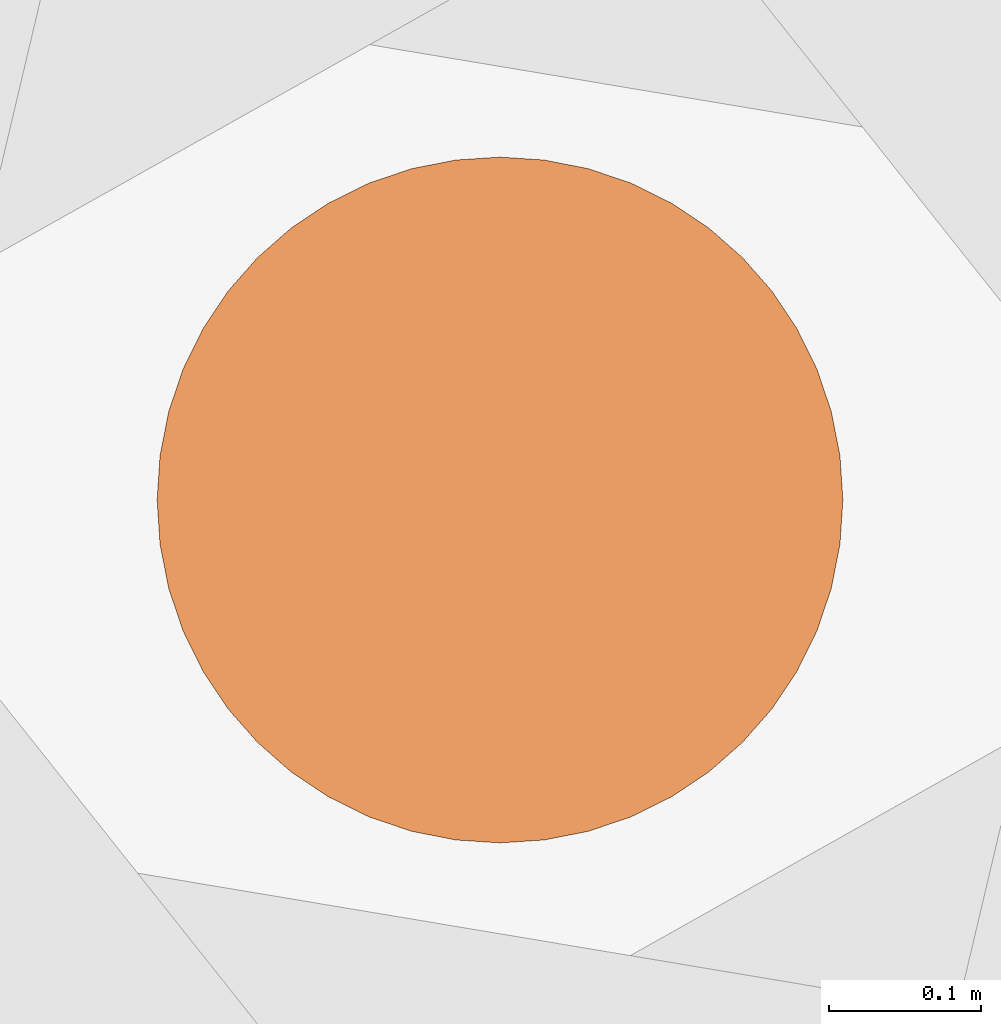
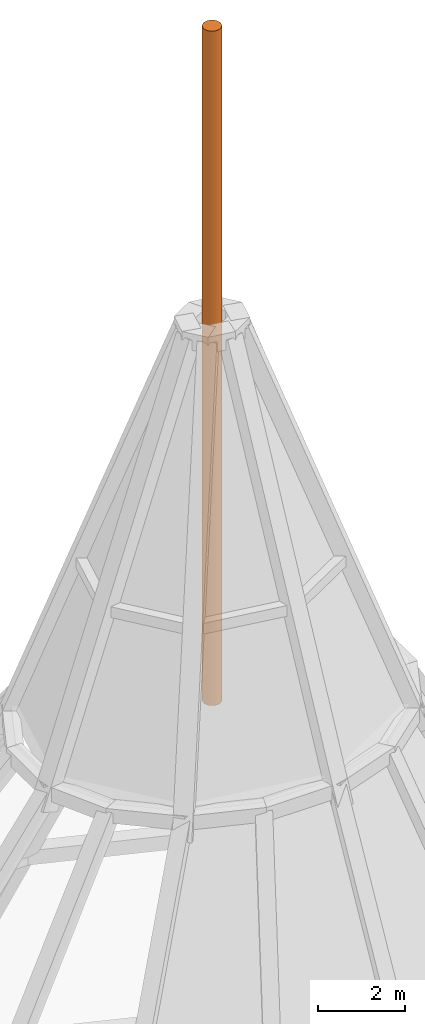
# One storey, part 7 of 7: 1 proxy.
"""IFC4 building model written with IfcOpenShell, lengths in metres."""

from ifc_helpers import new_model, si_unit, direction, frame, origin, origin_2d, place, context, subcontext, project, spatial, circle, extrude, material, material_profile, profile_set, type_object, element, save


model = new_model("IFC4")

# Units and contexts
model_context = context("Model", 3, precision=1e-05, world=origin(), true_north=direction((0.0, 1.0)))
body_context = subcontext(model_context, "Body", "Model", "MODEL_VIEW")
ifc_project = project(units=[si_unit("LENGTHUNIT", "METRE"), si_unit("AREAUNIT", "SQUARE_METRE"), si_unit("VOLUMEUNIT", "CUBIC_METRE"), si_unit("PLANEANGLEUNIT", "RADIAN"), si_unit("MASSUNIT", "GRAM", prefix="KILO")], contexts=[model_context])

# Site, building, storey
site_placement = place(None, origin())
site = spatial("IfcSite", under=ifc_project, at=site_placement, CompositionType="ELEMENT")
building_placement = place(site_placement, origin())
building = spatial("IfcBuilding", under=site, at=building_placement, Name="Marenthal Gate Tower", CompositionType="ELEMENT")
storey_placement = place(building_placement, frame((0.0, 0.0, 423.550048828125)))
storey = spatial("IfcBuildingStorey", under=building, at=storey_placement, Name="RF", CompositionType="ELEMENT", Elevation=423.550048828125)

# Proxy
ifc_material = material(Name="Steel S355", Category="steel")
ifc_material_profile = material_profile(ifc_material, circle(Radius=0.22509765625, at=origin_2d()), Name="Spire mast 450")
ifc_profile_set = profile_set([ifc_material_profile], Name="Steel S355")
building_element_proxy_type = type_object("IfcBuildingElementProxyType", Name="SPIRE mast 450", PredefinedType="USERDEFINED", material=ifc_profile_set)
proxy_placement = place(storey_placement, frame((2.800048828125, -0.699951171875, 29.119873046875), z_axis=(0.0, 0.0, 1.0), x_axis=(1.0, 0.0, 0.0)))
element("IfcBuildingElementProxy", 1, at=proxy_placement, inside=storey, type_object=building_element_proxy_type, Name="SPIRE", ObjectType="SPIRE", PredefinedType="USERDEFINED", context=body_context, shape_type="SweptSolid", body=[
    extrude(circle(Radius=0.22509765625, at=origin_2d()), origin(), (0.0, 0.0, 1.0), 18.880126953125),
])

save(model, "model.ifc")
